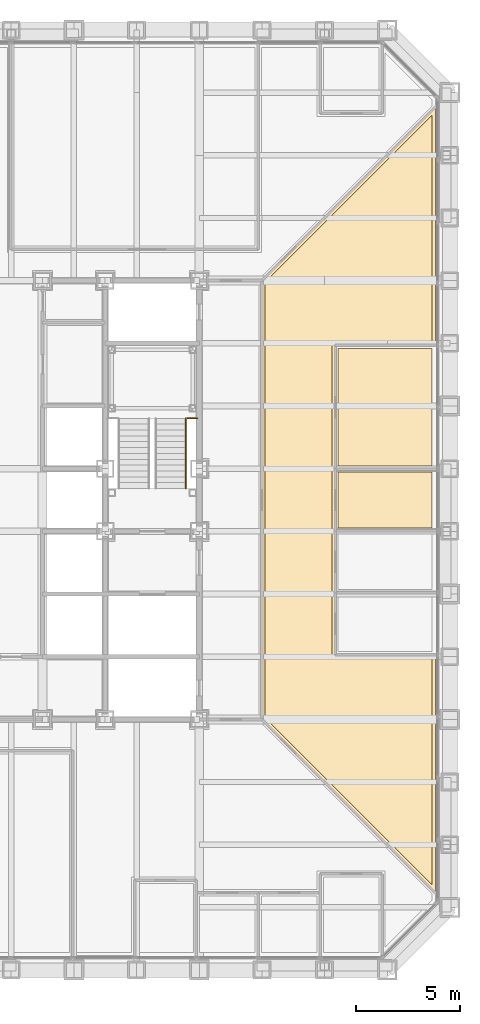
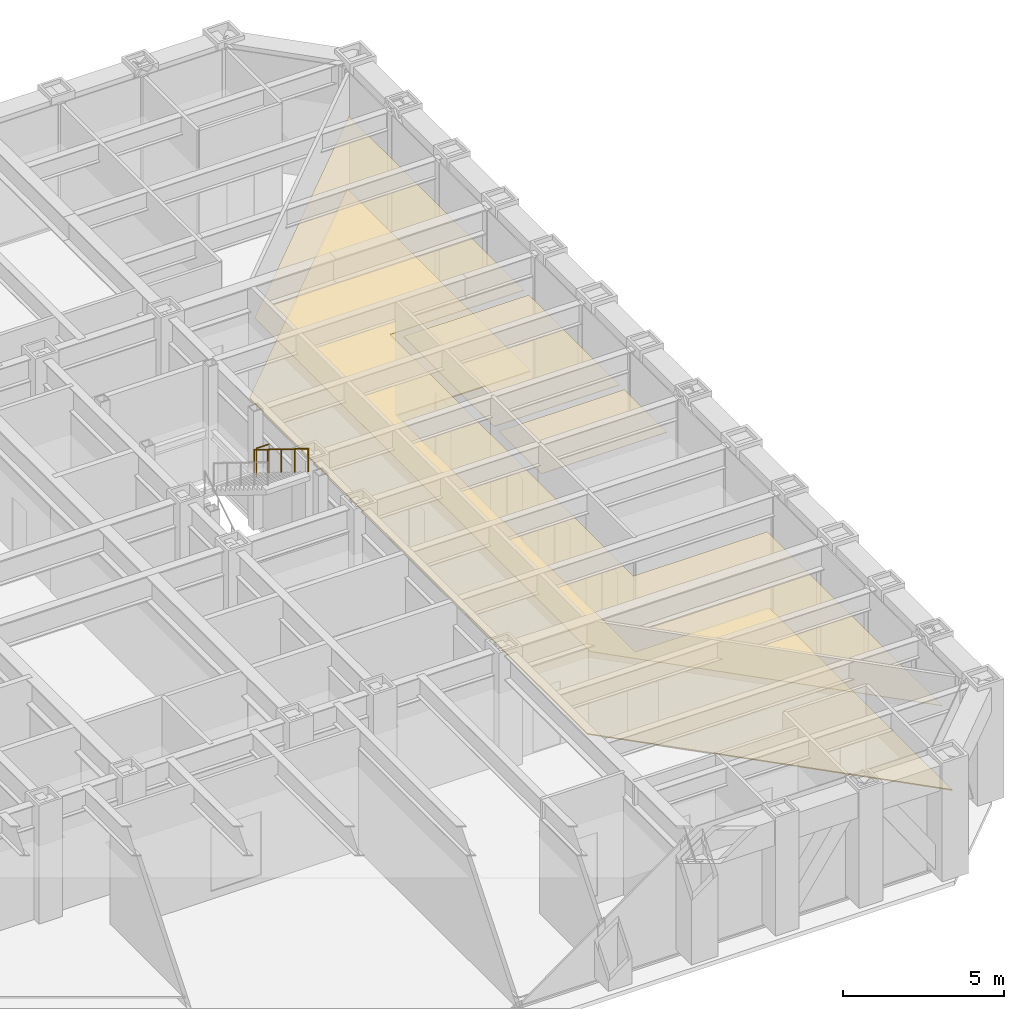
# One storey, part 16 of 17: 4 coverings, 2 railings.
"""IFC4 building model written with IfcOpenShell, lengths in metres."""

import ifcopenshell
import ifcopenshell.guid

model = None  # the IFC model being written
_history = None  # IfcOwnerHistory: only IFC2X3 demands one
_inside = {}  # id of a spatial element -> (the spatial element, [elements in it])
_under = {}  # id of a project, library or spatial element -> (it, [spatial elements below it])
_declared = {}  # id of a project -> (the project, [libraries it declares])
_typed = {}  # id of a type object -> (the type object, [elements of that type])
_made_of = {}  # id of a material, layer set ... -> (it, [elements and type objects made of it])


def new_model(schema):
    """Start an empty IFC model of exactly this schema.

    Asked for "IFC4X3", IfcOpenShell would pick the latest addendum, in which some entities
    have other attributes; the version numbers below select the first issue.
    IFC2X3 requires an IfcOwnerHistory on every rooted entity: one is made here for all.
    """
    global model, _history
    if schema == "IFC4X3":
        model = ifcopenshell.file(schema_version=(4, 3, 0, 0))
    else:
        model = ifcopenshell.file(schema=schema)
    _inside.clear()
    _under.clear()
    _declared.clear()
    _typed.clear()
    _made_of.clear()
    _history = None
    if model.schema == "IFC2X3":
        org = make("IfcOrganization", Name="unknown")
        user = make(
            "IfcPersonAndOrganization",
            ThePerson=make("IfcPerson", FamilyName="unknown"),
            TheOrganization=org,
        )
        app = make(
            "IfcApplication",
            ApplicationDeveloper=org,
            Version="unknown",
            ApplicationFullName="unknown",
            ApplicationIdentifier="unknown",
        )
        _history = make(
            "IfcOwnerHistory",
            OwningUser=user,
            OwningApplication=app,
            ChangeAction="ADDED",
            CreationDate=0,
        )
    return model


def make(cls, **values):
    """One entity of the class cls with the attributes given. An attribute that is None is left unset."""
    return model.create_entity(
        cls, **{name: value for name, value in values.items() if value is not None}
    )


def rooted(cls, **values):
    """An entity with a GlobalId (a new one), such as an element, a storey or a relation."""
    return make(cls, GlobalId=ifcopenshell.guid.new(), OwnerHistory=_history, **values)


def si_unit(unit_type, name, prefix=None):
    """IfcSIUnit, for example si_unit("LENGTHUNIT", "METRE", prefix="MILLI")."""
    return make("IfcSIUnit", UnitType=unit_type, Prefix=prefix, Name=name)


def assignment(units):
    """IfcUnitAssignment: the units of a project."""
    return None if units is None else make("IfcUnitAssignment", Units=units)


def point(xyz):
    """IfcCartesianPoint."""
    return None if xyz is None else make("IfcCartesianPoint", Coordinates=xyz)


def direction(xyz):
    """IfcDirection."""
    return None if xyz is None else make("IfcDirection", DirectionRatios=xyz)


def frame(location, z_axis=None, x_axis=None):
    """IfcAxis2Placement3D, a coordinate frame: its origin and axes. An axis left out is left unset."""
    return make(
        "IfcAxis2Placement3D",
        Location=point(location),
        Axis=direction(z_axis),
        RefDirection=direction(x_axis),
    )


def frame_2d(location, x_axis=None):
    """IfcAxis2Placement2D, a coordinate frame in the plane: its origin and x axis."""
    return make(
        "IfcAxis2Placement2D", Location=point(location), RefDirection=direction(x_axis)
    )


def origin():
    """The frame at (0, 0, 0) with its axes left unset."""
    return frame((0.0, 0.0, 0.0))


def origin_2d():
    """The frame at (0, 0) in the plane with its x axis left unset."""
    return frame_2d((0.0, 0.0))


def place(relative_to, where):
    """IfcLocalPlacement: puts the frame where relative to a parent placement (None: the world)."""
    return make(
        "IfcLocalPlacement", PlacementRelTo=relative_to, RelativePlacement=where
    )


def context(
    kind, dimensions, precision=None, world=None, true_north=None, identifier=None
):
    """IfcGeometricRepresentationContext, for example the 3D "Model" context."""
    return make(
        "IfcGeometricRepresentationContext",
        ContextIdentifier=identifier,
        ContextType=kind,
        CoordinateSpaceDimension=dimensions,
        Precision=precision,
        WorldCoordinateSystem=world,
        TrueNorth=true_north,
    )


def subcontext(parent, identifier, kind, view, scale=None):
    """IfcGeometricRepresentationSubContext, for example "Body" below "Model"."""
    return make(
        "IfcGeometricRepresentationSubContext",
        ContextIdentifier=identifier,
        ContextType=kind,
        ParentContext=parent,
        TargetScale=scale,
        TargetView=view,
    )


def project(units=None, contexts=None):
    """IfcProject with its units and contexts."""
    return rooted(
        "IfcProject",
        Name="project",
        RepresentationContexts=contexts,
        UnitsInContext=assignment(units),
    )


def spatial(cls, under=None, at=None, **own):
    """A site, building, storey or space (cls), placed at a placement, below another one or the project."""
    s = rooted(cls, ObjectPlacement=at, **own)
    if under is not None:
        _under.setdefault(under.id(), (under, []))[1].append(s)
    return s


def polyline(points):
    """IfcPolyline through the points."""
    return make("IfcPolyline", Points=[point(p) for p in points])


def profile(cls, at=None, kind="AREA", **sizes):
    """A parametric profile (cls). Its sizes go by their IFC names, for example OverallWidth=200.0."""
    return make(cls, ProfileType=kind, Position=at, **sizes)


def circle(**sizes):
    """IfcCircleProfileDef."""
    return profile("IfcCircleProfileDef", **sizes)


def outline(outer, holes=None, kind="AREA"):
    """IfcArbitraryClosedProfileDef: a profile drawn as a closed curve; with holes, ...WithVoids."""
    if holes is None:
        return make("IfcArbitraryClosedProfileDef", ProfileType=kind, OuterCurve=outer)
    return make(
        "IfcArbitraryProfileDefWithVoids",
        ProfileType=kind,
        OuterCurve=outer,
        InnerCurves=holes,
    )


def extrude(swept, where, along, depth):
    """IfcExtrudedAreaSolid: the profile swept, set in the frame where, extruded along a direction by depth."""
    return make(
        "IfcExtrudedAreaSolid",
        SweptArea=swept,
        Position=where,
        ExtrudedDirection=direction(along),
        Depth=depth,
    )


def shape(context_of_items, identifier, shape_type, items):
    """IfcShapeRepresentation: the items that make up one representation, for example the "Body"."""
    return make(
        "IfcShapeRepresentation",
        ContextOfItems=context_of_items,
        RepresentationIdentifier=identifier,
        RepresentationType=shape_type,
        Items=items,
    )


def material(Name=None, Category=None):
    """IfcMaterial."""
    return make("IfcMaterial", Name=Name, Category=Category)


def layer(
    of_material, thickness, ventilated=None, Name=None, Category=None, Priority=None
):
    """IfcMaterialLayer: one layer of a wall or slab, of a material (None: an air gap)."""
    return make(
        "IfcMaterialLayer",
        Material=of_material,
        LayerThickness=thickness,
        IsVentilated=ventilated,
        Name=Name,
        Category=Category,
        Priority=Priority,
    )


def layer_set(layers, Name=None):
    """IfcMaterialLayerSet."""
    return make("IfcMaterialLayerSet", MaterialLayers=layers, LayerSetName=Name)


def made_of(thing, what):
    """Note that an element or type object is made of a material, layer set ...; save() writes the relation."""
    if what is not None:
        _made_of.setdefault(what.id(), (what, []))[1].append(thing)
    return thing


def type_object(cls, material=None, **own):
    """A type object (cls), such as IfcWallType, which elements share."""
    return made_of(rooted(cls, **own), material)


def element(
    cls,
    number,
    at=None,
    inside=None,
    cuts=None,
    type_object=None,
    material=None,
    context=None,
    identifier="Body",
    shape_type=None,
    held_by="IfcProductDefinitionShape",
    body=None,
    shapes=None,
    **own,
):
    """One element of the class cls, such as IfcWall. Its Tag is "e" and its number.

    at: its placement. inside: the storey or other place that contains it. cuts: it is an
    opening in that element (IfcRelVoidsElement). A single representation is given by context,
    identifier, shape_type and body (its items); several are given by shapes. held_by: the class
    of the entity that holds the representations. save() writes the other relations.
    """
    e = rooted(cls, Tag="e%d" % number, ObjectPlacement=at, **own)
    if body is not None:
        shapes = [shape(context, identifier, shape_type, body)]
    if shapes is not None:
        e.Representation = make(held_by, Representations=shapes)
    if inside is not None:
        _inside.setdefault(inside.id(), (inside, []))[1].append(e)
    if cuts is not None:
        rooted(
            "IfcRelVoidsElement", RelatingBuildingElement=cuts, RelatedOpeningElement=e
        )
    if type_object is not None:
        _typed.setdefault(type_object.id(), (type_object, []))[1].append(e)
    return made_of(e, material)


def aggregate(whole, parts):
    """IfcRelAggregates: a whole, such as a stair, and the parts it consists of."""
    return rooted("IfcRelAggregates", RelatingObject=whole, RelatedObjects=parts)


def save(model, path):
    """Write the relations noted so far, then the file.

    IfcRelAggregates (storeys below a building ...), IfcRelContainedInSpatialStructure (elements
    in a storey), IfcRelDefinesByType, IfcRelAssociatesMaterial and IfcRelDeclares: one each for
    every whole, place, type object, material and project.
    """
    for whole, parts in _under.values():
        aggregate(whole, parts)
    for where, things in _inside.values():
        rooted(
            "IfcRelContainedInSpatialStructure",
            RelatedElements=things,
            RelatingStructure=where,
        )
    for kind, things in _typed.values():
        rooted("IfcRelDefinesByType", RelatedObjects=things, RelatingType=kind)
    for what, things in _made_of.values():
        rooted("IfcRelAssociatesMaterial", RelatedObjects=things, RelatingMaterial=what)
    for by, libraries in _declared.values():
        rooted("IfcRelDeclares", RelatingContext=by, RelatedDefinitions=libraries)
    model.write(path)


model = new_model("IFC4")

# Units and contexts
model_context = context("Model", 3, precision=1e-05, world=origin(), true_north=direction((0.0, 1.0)))
body_context = subcontext(model_context, "Body", "Model", "MODEL_VIEW")
ifc_project = project(units=[si_unit("LENGTHUNIT", "METRE"), si_unit("AREAUNIT", "SQUARE_METRE"), si_unit("VOLUMEUNIT", "CUBIC_METRE"), si_unit("PLANEANGLEUNIT", "RADIAN"), si_unit("MASSUNIT", "GRAM", prefix="KILO")], contexts=[model_context])

# Site, building, storey
site_placement = place(None, origin())
site = spatial("IfcSite", under=ifc_project, at=site_placement, CompositionType="ELEMENT")
building_placement = place(site_placement, origin())
building = spatial("IfcBuilding", under=site, at=building_placement, Name="Chuquiago Exchange Tower", CompositionType="ELEMENT")
storey_placement = place(building_placement, frame((0.0, 0.0, 91.800048828125)))
storey = spatial("IfcBuildingStorey", under=building, at=storey_placement, Name="L19", CompositionType="ELEMENT", Elevation=91.800048828125)

# Coverings
ifc_material_1 = material(Name="Mineral fibre tile, 600 x 600, on pale metal grid", Category="mineral fibre")
ifc_layer_1 = layer(ifc_material_1, 0.02001953125)
ifc_layer_set_1 = layer_set([ifc_layer_1], Name="CL1 suspended tile ceiling 20")
covering_type_1 = type_object("IfcCoveringType", Name="CL1 suspended tile ceiling 20", PredefinedType="CEILING", material=ifc_layer_set_1)
covering_1_placement = place(storey_placement, frame((0.0, 0.0, 3.0)))
element("IfcCovering", 1, at=covering_1_placement, inside=storey, type_object=covering_type_1, Name="Ceiling Office", PredefinedType="CEILING", context=body_context, shape_type="SweptSolid", body=[
    extrude(outline(polyline([(39.64990234375, 21.169189453125), (39.64990234375, 23.830810546875), (44.14990234375, 23.830810546875), (44.14990234375, 21.169189453125), (39.64990234375, 21.169189453125)])), origin(), (0.0, 0.0, 1.0), 0.02001953125),
])
covering_2_placement = place(storey_placement, frame((0.0, 0.0, 3.0)))
element("IfcCovering", 2, at=covering_2_placement, inside=storey, type_object=covering_type_1, Name="Ceiling Meeting room", PredefinedType="CEILING", context=body_context, shape_type="SweptSolid", body=[
    extrude(outline(polyline([(39.64990234375, 24.130859375), (39.64990234375, 29.75439453125), (44.14990234375, 29.75439453125), (44.14990234375, 24.130859375), (39.64990234375, 24.130859375)])), origin(), (0.0, 0.0, 1.0), 0.02001953125),
])
covering_3_placement = place(storey_placement, frame((0.0, 0.0, 3.0)))
element("IfcCovering", 3, at=covering_3_placement, inside=storey, type_object=covering_type_1, Name="Ceiling Trading floor east", PredefinedType="CEILING", context=body_context, shape_type="SweptSolid", body=[
    extrude(outline(polyline([(39.35009765625, 30.054443359375), (39.35009765625, 14.945556640625), (44.14990234375, 14.945556640625), (44.14990234375, 4.062744140625), (36.14990234375, 12.0625), (36.14990234375, 32.9375), (44.14990234375, 40.937255859375), (44.14990234375, 30.054443359375), (39.35009765625, 30.054443359375)])), origin(), (0.0, 0.0, 1.0), 0.02001953125),
])

# Railings
ifc_material_2 = material(Name="Pale metal guard with safety glass infill", Category="glass")
railing_type_1 = type_object("IfcRailingType", Name="GR1 guard 1100", PredefinedType="GUARDRAIL", material=ifc_material_2)
railing_1_placement = place(storey_placement, frame((32.445068359375, 26.409912109375, 2.25)))
element("IfcRailing", 4, at=railing_1_placement, inside=storey, type_object=railing_type_1, Name="Guard ST2 L19 landing 2", PredefinedType="GUARDRAIL", context=body_context, shape_type="SweptSolid", body=[
    extrude(circle(Radius=0.02392578125, at=origin_2d()), frame((0.0, 0.0, 1.076171875), z_axis=(1.0, 0.0, 0.0), x_axis=(0.0, 1.0, 0.0)), (0.0, 0.0, 1.0), 0.454833984375),
    extrude(circle(Radius=0.02099609375, at=origin_2d()), origin(), (0.0, 0.0, 1.0), 1.052001953125),
    extrude(circle(Radius=0.02099609375, at=origin_2d()), frame((0.454833984375, 0.0, 0.0)), (0.0, 0.0, 1.0), 1.052001953125),
])
ifc_material_3 = material(Name="Pale metal handrail", Category="steel")
railing_type_2 = type_object("IfcRailingType", Name="HR1 handrail 900", PredefinedType="HANDRAIL", material=ifc_material_3)
railing_2_placement = place(storey_placement, frame((32.364990234375, 26.409912109375, 2.423095703125)))
element("IfcRailing", 5, at=railing_2_placement, inside=storey, type_object=railing_type_2, Name="Handrail ST2 L19 flight 2", PredefinedType="HANDRAIL", context=body_context, shape_type="SweptSolid", body=[
    extrude(circle(Radius=0.02392578125, at=origin_2d()), frame((0.0, 0.0, 0.8759765625), z_axis=(0.0, -0.850606129759, 0.525803396734), x_axis=(1.0, 0.0, 0.0)), (0.0, 0.0, 1.0), 3.949951171875),
    extrude(circle(Radius=0.02099609375, at=origin_2d()), origin(), (0.0, 0.0, 1.0), 0.851806640625),
    extrude(circle(Radius=0.02099609375, at=origin_2d()), frame((0.0, -0.83984375, 0.519287109375)), (0.0, 0.0, 1.0), 0.851806640625),
    extrude(circle(Radius=0.02099609375, at=origin_2d()), frame((0.0, -1.679931640625, 1.03857421875)), (0.0, 0.0, 1.0), 0.851806640625),
    extrude(circle(Radius=0.02099609375, at=origin_2d()), frame((0.0, -2.52001953125, 1.5576171875)), (0.0, 0.0, 1.0), 0.851806640625),
    extrude(circle(Radius=0.02099609375, at=origin_2d()), frame((0.0, -3.35986328125, 2.076904296875)), (0.0, 0.0, 1.0), 0.851806640625),
])

# Covering
ifc_material_4 = material(Name="Steel raised floor panel", Category="steel")
ifc_layer_2 = layer(ifc_material_4, 0.0400390625)
ifc_layer_set_2 = layer_set([ifc_layer_2], Name="RF1 raised access floor 40")
covering_type_2 = type_object("IfcCoveringType", Name="RF1 raised access floor 40", PredefinedType="FLOORING", material=ifc_layer_set_2)
covering_4_placement = place(storey_placement, frame((0.0, 0.0, -0.0400390625)))
element("IfcCovering", 6, at=covering_4_placement, inside=storey, type_object=covering_type_2, Name="Raised access floor Trading floor east", PredefinedType="FLOORING", context=body_context, shape_type="SweptSolid", body=[
    extrude(outline(polyline([(44.300048828125, 29.904296875), (39.5, 29.904296875), (39.5, 15.095703125), (44.300048828125, 15.095703125), (44.300048828125, 3.70068359375), (36.0, 12.00048828125), (36.0, 32.99951171875), (44.300048828125, 41.29931640625), (44.300048828125, 29.904296875)])), origin(), (0.0, 0.0, 1.0), 0.0400390625),
])

save(model, "model.ifc")
